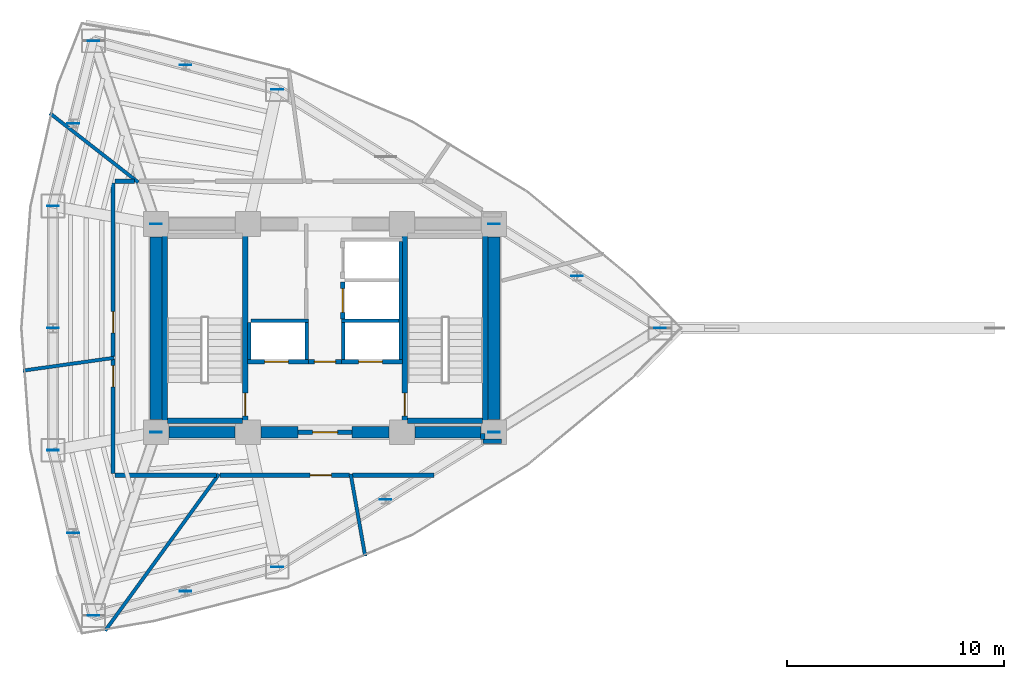
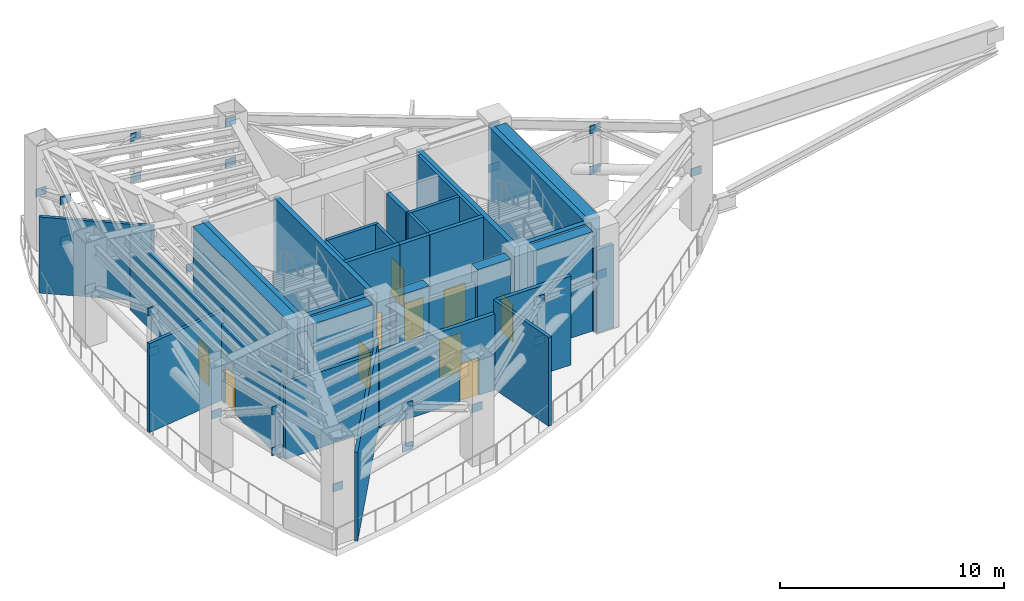
# One storey, part 5 of 8: 35 walls, 27 plates, 10 doors, 10 openings.
"""IFC4 building model written with IfcOpenShell, lengths in metres."""

from ifc_helpers import new_model, si_unit, direction, frame, frame_2d, origin, origin_2d, place, context, subcontext, project, spatial, rectangle, extrude, material, layer, layer_set, type_object, element, fill, save


model = new_model("IFC4")

# Units and contexts
model_context = context("Model", 3, precision=1e-05, world=origin(), true_north=direction((0.0, 1.0)))
body_context = subcontext(model_context, "Body", "Model", "MODEL_VIEW")
ifc_project = project(units=[si_unit("LENGTHUNIT", "METRE"), si_unit("AREAUNIT", "SQUARE_METRE"), si_unit("VOLUMEUNIT", "CUBIC_METRE"), si_unit("PLANEANGLEUNIT", "RADIAN"), si_unit("MASSUNIT", "GRAM", prefix="KILO")], contexts=[model_context])

# Site, building, storey
site_placement = place(None, origin())
site = spatial("IfcSite", under=ifc_project, at=site_placement, CompositionType="ELEMENT")
building_placement = place(site_placement, origin())
building = spatial("IfcBuilding", under=site, at=building_placement, Name="Menara Vayukalpa", CompositionType="ELEMENT")
storey_placement = place(building_placement, frame((0.0, 0.0, 148.6201171875)))
storey = spatial("IfcBuildingStorey", under=building, at=storey_placement, Name="L37", CompositionType="ELEMENT", Elevation=148.6201171875)

# Plates
ifc_material_1 = material(Name="Steel S355", Category="steel")
ifc_layer_1 = layer(ifc_material_1, 0.028076171875)
ifc_layer_set_1 = layer_set([ifc_layer_1], Name="Steel S355")
plate_type = type_object("IfcPlateType", Name="PLT-END1", PredefinedType="USERDEFINED", material=ifc_layer_set_1)
for number, where, z_axis, x_axis, name in (
    (1, (33.39990234375, 17.199951171875, 2.530029296875), (0.0, 0.0, 1.0), (1.0, 0.0, 0.0), "L37 Structural Brace End Gusset Plate 039"),
    (2, (41.05908203125, 22.0, 2.530029296875), (0.0, 0.0, 1.0), (1.0, 0.0, 0.0), "L37 Structural Brace End Gusset Plate 040"),
    (3, (17.800048828125, 26.800048828125, 2.530029296875), (0.0, 0.0, 1.0), (1.0, 0.0, 0.0), "L37 Structural Brace End Gusset Plate 041"),
    (4, (14.92041015625, 35.260498046875, 2.530029296875), (0.0, 0.0, 1.0), (1.0, 0.0, 0.0), "L37 Structural Brace End Gusset Plate 042"),
    (5, (17.800048828125, 17.199951171875, 2.530029296875), (0.0, 0.0, 1.0), (1.0, 0.0, 0.0), "L37 Structural Brace End Gusset Plate 043"),
    (6, (14.92041015625, 8.739501953125, 2.530029296875), (0.0, 0.0, 1.0), (1.0, 0.0, 0.0), "L37 Structural Brace End Gusset Plate 044"),
    (7, (33.39990234375, 26.800048828125, 2.530029296875), (0.0, 0.0, 1.0), (1.0, 0.0, 0.0), "L37 Structural Brace End Gusset Plate 045"),
    (8, (37.2294921875, 24.39990234375, 4.75), (0.0, 0.0, 1.0), (1.0, 0.0, 0.0), "L37 Structural Brace End Gusset Plate 046"),
    (9, (37.2294921875, 24.39990234375, 2.530029296875), (0.0, 0.0, 1.0), (1.0, 0.0, 0.0), "L37 Structural Brace End Gusset Plate 047"),
    (10, (23.39697265625, 33.011962890625, 2.530029296875), (0.0, 0.0, 1.0), (1.0, 0.0, 0.0), "L37 Structural Brace End Gusset Plate 048"),
    (11, (23.39697265625, 33.011962890625, 4.75), (0.0, 0.0, 1.0), (1.0, 0.0, 0.0), "L37 Structural Brace End Gusset Plate 049"),
    (12, (33.39990234375, 26.800048828125, 4.75), (0.0, 0.0, 1.0), (1.0, 0.0, 0.0), "L37 Structural Brace End Gusset Plate 050"),
    (13, (19.15869140625, 34.13623046875, 4.75), (0.0, 0.0, 1.0), (1.0, 0.0, 0.0), "L37 Structural Brace End Gusset Plate 051"),
    (14, (19.15869140625, 34.13623046875, 2.530029296875), (0.0, 0.0, 1.0), (1.0, 0.0, 0.0), "L37 Structural Brace End Gusset Plate 052"),
    (15, (13.049072265625, 27.6318359375, 2.530029296875), (0.0, 0.0, 1.0), (1.0, 0.0, 0.0), "L37 Structural Brace End Gusset Plate 053"),
    (16, (13.98486328125, 31.446044921875, 4.75), (0.0, 0.0, 1.0), (1.0, 0.0, 0.0), "L37 Structural Brace End Gusset Plate 054"),
    (17, (13.98486328125, 31.446044921875, 2.530029296875), (0.0, 0.0, 1.0), (1.0, 0.0, 0.0), "L37 Structural Brace End Gusset Plate 055"),
    (18, (13.049072265625, 16.3681640625, 2.530029296875), (0.0, 0.0, 1.0), (1.0, 0.0, 0.0), "L37 Structural Brace End Gusset Plate 056"),
    (19, (13.049072265625, 22.0, 4.75), (0.0, 0.0, 1.0), (1.0, 0.0, 0.0), "L37 Structural Brace End Gusset Plate 057"),
    (20, (13.049072265625, 22.0, 2.530029296875), (0.0, 0.0, 1.0), (1.0, 0.0, 0.0), "L37 Structural Brace End Gusset Plate 058"),
    (21, (13.98486328125, 12.553955078125, 4.75), (0.0, 0.0, 1.0), (1.0, 0.0, 0.0), "L37 Structural Brace End Gusset Plate 059"),
    (22, (13.98486328125, 12.553955078125, 2.530029296875), (0.0, 0.0, 1.0), (1.0, 0.0, 0.0), "L37 Structural Brace End Gusset Plate 060"),
    (23, (23.39697265625, 10.988037109375, 2.530029296875), (0.0, 0.0, 1.0), (1.0, 0.0, 0.0), "L37 Structural Brace End Gusset Plate 061"),
    (24, (19.15869140625, 9.86376953125, 4.75), (0.0, 0.0, 1.0), (1.0, 0.0, 0.0), "L37 Structural Brace End Gusset Plate 062"),
    (25, (19.15869140625, 9.86376953125, 2.530029296875), (0.0, 0.0, 1.0), (1.0, 0.0, 0.0), "L37 Structural Brace End Gusset Plate 063"),
    (26, (28.3984375, 14.093994140625, 4.75), (0.0, 0.0, 1.0), (1.0, 0.0, 0.0), "L37 Structural Brace End Gusset Plate 064"),
    (27, (28.3984375, 14.093994140625, 2.530029296875), (0.0, 0.0, 1.0), (1.0, 0.0, 0.0), "L37 Structural Brace End Gusset Plate 065"),
):
    element("IfcPlate", number, at=place(storey_placement, frame(where, z_axis=z_axis, x_axis=x_axis)), inside=storey, type_object=plate_type, Name=name, ObjectType="GUSSET_PLATE", PredefinedType="USERDEFINED", context=body_context, shape_type="SweptSolid", body=[
        extrude(rectangle(XDim=0.5400390625, YDim=0.028076171875, at=origin_2d()), origin(), (0.0, 0.0, 1.0), 0.43994140625),
    ])

# Walls
ifc_material_2 = material(Name="Concrete C60/75", Category="concrete")
ifc_layer_2 = layer(ifc_material_2, 0.550048828125)
ifc_layer_set_2 = layer_set([ifc_layer_2], Name="Concrete C60/75")
wall_type_1 = type_object("IfcWallType", Name="WAL-CW550", PredefinedType="SHEAR", material=ifc_layer_set_2)
wall_1_placement = place(storey_placement, frame((18.39501953125, 17.199951171875, 0.0), z_axis=(0.0, 0.0, 1.0), x_axis=(1.0, 0.0, 0.0)))
element("IfcWall", 28, at=wall_1_placement, inside=storey, type_object=wall_type_1, Name="L37 Buttressed Core Shear Wall CWS1", PredefinedType="SHEAR", context=body_context, shape_type="SweptSolid", body=[
    extrude(rectangle(XDim=3.06005859375, YDim=0.550048828125, at=frame_2d((1.530029296875, 0.0))), origin(), (0.0, 0.0, 1.0), 5.419921875),
])
wall_2_placement = place(storey_placement, frame((22.64501953125, 17.199951171875, 0.0), z_axis=(0.0, 0.0, 1.0), x_axis=(1.0, 0.0, 0.0)))
element("IfcWall", 29, at=wall_2_placement, inside=storey, type_object=wall_type_1, Name="L37 Buttressed Core Shear Wall CWS2", PredefinedType="SHEAR", context=body_context, shape_type="SweptSolid", body=[
    extrude(rectangle(XDim=1.705078125, YDim=0.550048828125, at=frame_2d((0.8525390625, 0.0))), origin(), (0.0, 0.0, 1.0), 5.419921875),
])
wall_3_placement = place(storey_placement, frame((26.85009765625, 17.199951171875, 0.0), z_axis=(0.0, 0.0, 1.0), x_axis=(1.0, 0.0, 0.0)))
element("IfcWall", 30, at=wall_3_placement, inside=storey, type_object=wall_type_1, Name="L37 Buttressed Core Shear Wall CWS3", PredefinedType="SHEAR", context=body_context, shape_type="SweptSolid", body=[
    extrude(rectangle(XDim=1.704833984375, YDim=0.550048828125, at=frame_2d((0.8525390625, 0.0))), origin(), (0.0, 0.0, 1.0), 5.419921875),
])
wall_4_placement = place(storey_placement, frame((29.7451171875, 17.199951171875, 0.0), z_axis=(0.0, 0.0, 1.0), x_axis=(1.0, 0.0, 0.0)))
element("IfcWall", 31, at=wall_4_placement, inside=storey, type_object=wall_type_1, Name="L37 Buttressed Core Shear Wall CWS4", PredefinedType="SHEAR", context=body_context, shape_type="SweptSolid", body=[
    extrude(rectangle(XDim=3.059814453125, YDim=0.550048828125, at=frame_2d((1.52978515625, 0.0))), origin(), (0.0, 0.0, 1.0), 5.419921875),
])
for number, where, z_axis, x_axis, name in (
    (32, (17.800048828125, 17.794921875, 0.0), (0.0, 0.0, 1.0), (0.0, 1.0, 0.0), "L37 Buttressed Core Shear Wall CWW1"),
    (33, (33.39990234375, 17.794921875, 0.0), (0.0, 0.0, 1.0), (0.0, 1.0, 0.0), "L37 Buttressed Core Shear Wall CWE1"),
):
    element("IfcWall", number, at=place(storey_placement, frame(where, z_axis=z_axis, x_axis=x_axis)), inside=storey, type_object=wall_type_1, Name=name, PredefinedType="SHEAR", context=body_context, shape_type="SweptSolid", body=[
        extrude(rectangle(XDim=8.41015625, YDim=0.550048828125, at=frame_2d((4.205078125, 0.0))), origin(), (0.0, 0.0, 1.0), 5.419921875),
    ])
ifc_material_3 = material(Name="Lightweight Concrete Blockwork C16/20", Category="masonry")
ifc_layer_3 = layer(ifc_material_3, 0.159912109375)
ifc_layer_set_3 = layer_set([ifc_layer_3], Name="Lightweight Concrete Blockwork C16/20")
wall_type_2 = type_object("IfcWallType", Name="WAL-FR150", PredefinedType="PARTITIONING", material=ifc_layer_set_3)
for number, where, z_axis, x_axis, name in (
    (34, (22.10498046875, 20.56005859375, 0.0), (0.0, 0.0, 1.0), (0.0, 1.0, 0.0), "L37 Interior Partition IW-L37-SHW-WW"),
    (35, (24.7548828125, 20.56005859375, 0.0), (0.0, 0.0, 1.0), (0.0, 1.0, 0.0), "L37 Interior Partition IW-L37-SHW-W1E"),
):
    element("IfcWall", number, at=place(storey_placement, frame(where, z_axis=z_axis, x_axis=x_axis)), inside=storey, type_object=wall_type_2, Name=name, PredefinedType="PARTITIONING", context=body_context, shape_type="SweptSolid", body=[
        extrude(rectangle(XDim=1.7099609375, YDim=0.159912109375, at=frame_2d((0.85498046875, 0.0))), origin(), (0.0, 0.0, 1.0), 5.419921875),
    ])
wall_5_placement = place(storey_placement, frame((22.179931640625, 22.344970703125, 0.0), z_axis=(0.0, 0.0, 1.0), x_axis=(1.0, 0.0, 0.0)))
element("IfcWall", 36, at=wall_5_placement, inside=storey, type_object=wall_type_2, Name="L37 Interior Partition IW-L37-SHM-W12", PredefinedType="PARTITIONING", context=body_context, shape_type="SweptSolid", body=[
    extrude(rectangle(XDim=2.650146484375, YDim=0.159912109375, at=frame_2d((1.3251953125, 0.0))), origin(), (0.0, 0.0, 1.0), 5.419921875),
])
wall_6_placement = place(storey_placement, frame((29.094970703125, 20.56005859375, 0.0), z_axis=(0.0, 0.0, 1.0), x_axis=(0.0, 1.0, 0.0)))
element("IfcWall", 37, at=wall_6_placement, inside=storey, type_object=wall_type_2, Name="L37 Interior Partition IW-L37-SHW-EE", PredefinedType="PARTITIONING", context=body_context, shape_type="SweptSolid", body=[
    extrude(rectangle(XDim=5.449951171875, YDim=0.159912109375, at=frame_2d((2.72509765625, 0.0))), origin(), (0.0, 0.0, 1.0), 5.419921875),
])
wall_7_placement = place(storey_placement, frame((26.445068359375, 20.56005859375, 0.0), z_axis=(0.0, 0.0, 1.0), x_axis=(0.0, 1.0, 0.0)))
element("IfcWall", 38, at=wall_7_placement, inside=storey, type_object=wall_type_2, Name="L37 Interior Partition IW-L37-SHW-E1W", PredefinedType="PARTITIONING", context=body_context, shape_type="SweptSolid", body=[
    extrude(rectangle(XDim=1.7099609375, YDim=0.159912109375, at=frame_2d((0.85498046875, 0.0))), origin(), (0.0, 0.0, 1.0), 5.419921875),
])
wall_8_placement = place(storey_placement, frame((26.3701171875, 22.344970703125, 0.0), z_axis=(0.0, 0.0, 1.0), x_axis=(1.0, 0.0, 0.0)))
element("IfcWall", 39, at=wall_8_placement, inside=storey, type_object=wall_type_2, Name="L37 Interior Partition IW-L37-SHM-E13", PredefinedType="PARTITIONING", context=body_context, shape_type="SweptSolid", body=[
    extrude(rectangle(XDim=2.64990234375, YDim=0.159912109375, at=frame_2d((1.324951171875, 0.0))), origin(), (0.0, 0.0, 1.0), 5.419921875),
])
wall_9_placement = place(storey_placement, frame((16.986083984375, 28.72998046875, 0.0), z_axis=(0.0, 0.0, 1.0), x_axis=(-0.788002940382, 0.615671475666, 0.0)))
element("IfcWall", 40, at=wall_9_placement, inside=storey, type_object=wall_type_2, Name="L37 Interior Partition IW-L37-RDIV04", PredefinedType="PARTITIONING", context=body_context, shape_type="SweptSolid", body=[
    extrude(rectangle(XDim=5.180908203125, YDim=0.159912109375, at=frame_2d((2.59033203125, 0.0))), origin(), (0.0, 0.0, 1.0), 4.14990234375),
])
wall_10_placement = place(storey_placement, frame((15.8701171875, 20.632568359375, 0.0), z_axis=(0.0, 0.0, 1.0), x_axis=(-0.990272175973, -0.139143873362, 0.0)))
element("IfcWall", 41, at=wall_10_placement, inside=storey, type_object=wall_type_2, Name="L37 Interior Partition IW-L37-RDIV05", PredefinedType="PARTITIONING", context=body_context, shape_type="SweptSolid", body=[
    extrude(rectangle(XDim=4.247802734375, YDim=0.159912109375, at=frame_2d((2.1240234375, 0.0))), origin(), (0.0, 0.0, 1.0), 4.849853515625),
])
wall_11_placement = place(storey_placement, frame((20.71044921875, 15.27001953125, 0.0), z_axis=(0.0, 0.0, 1.0), x_axis=(-0.587798062304, -0.809007687202, 0.0)))
element("IfcWall", 42, at=wall_11_placement, inside=storey, type_object=wall_type_2, Name="L37 Interior Partition IW-L37-RDIV06", PredefinedType="PARTITIONING", context=body_context, shape_type="SweptSolid", body=[
    extrude(rectangle(XDim=8.9375, YDim=0.159912109375, at=frame_2d((4.46875, 0.0))), origin(), (0.0, 0.0, 1.0), 4.849853515625),
])
wall_12_placement = place(storey_placement, frame((26.78662109375, 15.27001953125, 0.0), z_axis=(0.0, 0.0, 1.0), x_axis=(0.173672994404, -0.984803376829, 0.0)))
element("IfcWall", 43, at=wall_12_placement, inside=storey, type_object=wall_type_2, Name="L37 Interior Partition IW-L37-RDIV07", PredefinedType="PARTITIONING", context=body_context, shape_type="SweptSolid", body=[
    extrude(rectangle(XDim=3.84326171875, YDim=0.159912109375, at=frame_2d((1.921630859375, 0.0))), origin(), (0.0, 0.0, 1.0), 4.849853515625),
])

# Wall, opening, door
ifc_material_4 = material(Name="Lightweight Concrete Blockwork C16/20", Category="masonry")
ifc_layer_4 = layer(ifc_material_4, 0.199951171875)
ifc_layer_set_4 = layer_set([ifc_layer_4], Name="Lightweight Concrete Blockwork C16/20")
wall_type_3 = type_object("IfcWallType", Name="WAL-FR200", PredefinedType="PARTITIONING", material=ifc_layer_set_4)
wall_13_placement = place(storey_placement, frame((24.35009765625, 17.199951171875, 0.0), z_axis=(0.0, 0.0, 1.0), x_axis=(1.0, 0.0, 0.0)))
wall_13 = element("IfcWall", 44, at=wall_13_placement, inside=storey, type_object=wall_type_3, Name="L37 Interior Partition IW-L37-FFLS", PredefinedType="PARTITIONING", context=body_context, shape_type="SweptSolid", body=[
    extrude(rectangle(XDim=2.5, YDim=0.199951171875, at=frame_2d((1.25, 0.0))), origin(), (0.0, 0.0, 1.0), 4.5498046875),
])
opening_1_placement = place(wall_13_placement, frame((0.679931640625, 0.0, 0.0)))
opening_1 = element("IfcOpeningElement", 45, at=opening_1_placement, cuts=wall_13, Name="Opening ID2", PredefinedType="OPENING", context=body_context, shape_type="SweptSolid", body=[
    extrude(rectangle(XDim=1.14990234375, YDim=2.080078125, at=frame_2d((0.574951171875, 1.0400390625))), frame((0.0, 0.10986328125, 0.0), z_axis=(0.0, -1.0, 0.0), x_axis=(1.0, 0.0, 0.0)), (0.0, 0.0, 1.0), 0.219970703125),
])
ifc_material_5 = material(Name="Fire-Rated Powder-Coated Steel Door", Category="steel")
door_type_1 = type_object("IfcDoorType", Name="DR-FD60W", OperationType="NOTDEFINED", PredefinedType="DOOR", material=ifc_material_5)
door_1_placement = place(opening_1_placement, origin())
door_1 = element("IfcDoor", 46, at=door_1_placement, inside=storey, type_object=door_type_1, Name="L37 Interior Door DR-L37-FFLS", OperationType="SINGLE_SWING_RIGHT", OverallHeight=2.080078125, OverallWidth=1.14990234375, PredefinedType="DOOR", context=body_context, shape_type="SweptSolid", body=[
    extrude(rectangle(XDim=1.14990234375, YDim=2.080078125, at=frame_2d((0.574951171875, 1.0400390625))), frame((0.0, 0.02490234375, 0.0), z_axis=(0.0, -1.0, 0.0), x_axis=(1.0, 0.0, 0.0)), (0.0, 0.0, 1.0), 0.050048828125),
])
fill(opening_1, door_1)

wall_14_placement = place(storey_placement, frame((24.840087890625, 20.449951171875, 0.0), z_axis=(0.0, 0.0, 1.0), x_axis=(1.0, 0.0, 0.0)))
wall_14 = element("IfcWall", 47, at=wall_14_placement, inside=storey, type_object=wall_type_3, Name="L37 Interior Partition IW-L37-FFLN", PredefinedType="PARTITIONING", context=body_context, shape_type="SweptSolid", body=[
    extrude(rectangle(XDim=1.52001953125, YDim=0.199951171875, at=frame_2d((0.760009765625, 0.0))), origin(), (0.0, 0.0, 1.0), 5.419921875),
])
opening_2_placement = place(wall_14_placement, frame((0.27001953125, 0.0, 0.0)))
opening_2 = element("IfcOpeningElement", 48, at=opening_2_placement, cuts=wall_14, Name="Opening ID3", PredefinedType="OPENING", context=body_context, shape_type="SweptSolid", body=[
    extrude(rectangle(XDim=0.97998046875, YDim=2.06005859375, at=frame_2d((0.489990234375, 1.030029296875))), frame((0.0, 0.10986328125, 0.0), z_axis=(0.0, -1.0, 0.0), x_axis=(1.0, 0.0, 0.0)), (0.0, 0.0, 1.0), 0.219970703125),
])
ifc_material_6 = material(Name="Fire-Rated Powder-Coated Steel Door", Category="steel")
door_type_2 = type_object("IfcDoorType", Name="DR-FD60", OperationType="NOTDEFINED", PredefinedType="DOOR", material=ifc_material_6)
door_2_placement = place(opening_2_placement, origin())
door_2 = element("IfcDoor", 49, at=door_2_placement, inside=storey, type_object=door_type_2, Name="L37 Interior Door DR-L37-FFLN", OperationType="SINGLE_SWING_LEFT", OverallHeight=2.06005859375, OverallWidth=0.97998046875, PredefinedType="DOOR", context=body_context, shape_type="SweptSolid", body=[
    extrude(rectangle(XDim=0.97998046875, YDim=2.06005859375, at=frame_2d((0.489990234375, 1.030029296875))), frame((0.0, 0.02490234375, 0.0), z_axis=(0.0, -1.0, 0.0), x_axis=(1.0, 0.0, 0.0)), (0.0, 0.0, 1.0), 0.050048828125),
])
fill(opening_2, door_2)

wall_15_placement = place(storey_placement, frame((22.030029296875, 20.449951171875, 0.0), z_axis=(0.0, 0.0, 1.0), x_axis=(1.0, 0.0, 0.0)))
wall_15 = element("IfcWall", 50, at=wall_15_placement, inside=storey, type_object=wall_type_3, Name="L37 Interior Partition IW-L37-SH-W1", PredefinedType="PARTITIONING", context=body_context, shape_type="SweptSolid", body=[
    extrude(rectangle(XDim=2.800048828125, YDim=0.199951171875, at=frame_2d((1.39990234375, 0.0))), origin(), (0.0, 0.0, 1.0), 5.419921875),
])
opening_3_placement = place(wall_15_placement, frame((0.780029296875, 0.0, 0.0)))
opening_3 = element("IfcOpeningElement", 51, at=opening_3_placement, cuts=wall_15, Name="Opening LD1", PredefinedType="OPENING", context=body_context, shape_type="SweptSolid", body=[
    extrude(rectangle(XDim=1.10009765625, YDim=2.080078125, at=frame_2d((0.550048828125, 1.0400390625))), frame((0.0, 0.10986328125, 0.0), z_axis=(0.0, -1.0, 0.0), x_axis=(1.0, 0.0, 0.0)), (0.0, 0.0, 1.0), 0.219970703125),
])
ifc_material_7 = material(Name="Brushed Stainless Steel 316 Lift Door", Category="steel")
door_type_3 = type_object("IfcDoorType", Name="DR-LD110", OperationType="NOTDEFINED", PredefinedType="DOOR", material=ifc_material_7)
door_3_placement = place(opening_3_placement, origin())
door_3 = element("IfcDoor", 52, at=door_3_placement, inside=storey, type_object=door_type_3, Name="L37 Interior Door DR-L37-LD-W1", OperationType="DOUBLE_DOOR_SLIDING", OverallHeight=2.080078125, OverallWidth=1.10009765625, PredefinedType="DOOR", context=body_context, shape_type="SweptSolid", body=[
    extrude(rectangle(XDim=1.10009765625, YDim=2.080078125, at=frame_2d((0.550048828125, 1.0400390625))), frame((0.0, 0.02490234375, 0.0), z_axis=(0.0, -1.0, 0.0), x_axis=(1.0, 0.0, 0.0)), (0.0, 0.0, 1.0), 0.050048828125),
])
fill(opening_3, door_3)

wall_16_placement = place(storey_placement, frame((26.3701171875, 20.449951171875, 0.0), z_axis=(0.0, 0.0, 1.0), x_axis=(1.0, 0.0, 0.0)))
wall_16 = element("IfcWall", 53, at=wall_16_placement, inside=storey, type_object=wall_type_3, Name="L37 Interior Partition IW-L37-SH-E1", PredefinedType="PARTITIONING", context=body_context, shape_type="SweptSolid", body=[
    extrude(rectangle(XDim=2.7998046875, YDim=0.199951171875, at=frame_2d((1.39990234375, 0.0))), origin(), (0.0, 0.0, 1.0), 5.419921875),
])
opening_4_placement = place(wall_16_placement, frame((0.780029296875, 0.0, 0.0)))
opening_4 = element("IfcOpeningElement", 54, at=opening_4_placement, cuts=wall_16, Name="Opening LD1", PredefinedType="OPENING", context=body_context, shape_type="SweptSolid", body=[
    extrude(rectangle(XDim=1.10009765625, YDim=2.080078125, at=frame_2d((0.550048828125, 1.0400390625))), frame((0.0, 0.10986328125, 0.0), z_axis=(0.0, -1.0, 0.0), x_axis=(1.0, 0.0, 0.0)), (0.0, 0.0, 1.0), 0.219970703125),
])
door_4_placement = place(opening_4_placement, origin())
door_4 = element("IfcDoor", 55, at=door_4_placement, inside=storey, type_object=door_type_3, Name="L37 Interior Door DR-L37-LD-E1", OperationType="DOUBLE_DOOR_SLIDING", OverallHeight=2.080078125, OverallWidth=1.10009765625, PredefinedType="DOOR", context=body_context, shape_type="SweptSolid", body=[
    extrude(rectangle(XDim=1.10009765625, YDim=2.080078125, at=frame_2d((0.550048828125, 1.0400390625))), frame((0.0, 0.02490234375, 0.0), z_axis=(0.0, -1.0, 0.0), x_axis=(1.0, 0.0, 0.0)), (0.0, 0.0, 1.0), 0.050048828125),
])
fill(opening_4, door_4)

wall_17_placement = place(storey_placement, frame((26.419921875, 22.419921875, 0.0), z_axis=(0.0, 0.0, 1.0), x_axis=(0.0, 1.0, 0.0)))
wall_17 = element("IfcWall", 56, at=wall_17_placement, inside=storey, type_object=wall_type_3, Name="L37 Interior Partition IW-L37-SH-E3", PredefinedType="PARTITIONING", context=body_context, shape_type="SweptSolid", body=[
    extrude(rectangle(XDim=1.719970703125, YDim=0.199951171875, at=frame_2d((0.85986328125, 0.0))), origin(), (0.0, 0.0, 1.0), 5.419921875),
])
opening_5_placement = place(wall_17_placement, frame((0.31005859375, 0.0, 0.0)))
opening_5 = element("IfcOpeningElement", 57, at=opening_5_placement, cuts=wall_17, Name="Opening LD1", PredefinedType="OPENING", context=body_context, shape_type="SweptSolid", body=[
    extrude(rectangle(XDim=1.10009765625, YDim=2.080078125, at=frame_2d((0.550048828125, 1.0400390625))), frame((0.0, 0.10986328125, 0.0), z_axis=(0.0, -1.0, 0.0), x_axis=(1.0, 0.0, 0.0)), (0.0, 0.0, 1.0), 0.219970703125),
])
door_5_placement = place(opening_5_placement, origin())
door_5 = element("IfcDoor", 58, at=door_5_placement, inside=storey, type_object=door_type_3, Name="L37 Interior Door DR-L37-LD-E3", OperationType="DOUBLE_DOOR_SLIDING", OverallHeight=2.080078125, OverallWidth=1.10009765625, PredefinedType="DOOR", context=body_context, shape_type="SweptSolid", body=[
    extrude(rectangle(XDim=1.10009765625, YDim=2.080078125, at=frame_2d((0.550048828125, 1.0400390625))), frame((0.0, 0.02490234375, 0.0), z_axis=(0.0, -1.0, 0.0), x_axis=(1.0, 0.0, 0.0)), (0.0, 0.0, 1.0), 0.050048828125),
])
fill(opening_5, door_5)

wall_18_placement = place(storey_placement, frame((15.820068359375, 20.5546875, 0.0), z_axis=(0.0, 0.0, 1.0), x_axis=(0.0, -1.0, 0.0)))
wall_18 = element("IfcWall", 59, at=wall_18_placement, inside=storey, type_object=wall_type_3, Name="L37 Interior Partition IW-L37-CRM01-1", PredefinedType="PARTITIONING", context=body_context, shape_type="SweptSolid", body=[
    extrude(rectangle(XDim=5.254638671875, YDim=0.199951171875, at=frame_2d((2.62744140625, 0.0))), origin(), (0.0, 0.0, 1.0), 4.14990234375),
])
opening_6_placement = place(wall_18_placement, frame((0.280029296875, 0.0, 0.0)))
opening_6 = element("IfcOpeningElement", 60, at=opening_6_placement, cuts=wall_18, Name="Opening ID3", PredefinedType="OPENING", context=body_context, shape_type="SweptSolid", body=[
    extrude(rectangle(XDim=0.97998046875, YDim=2.06005859375, at=frame_2d((0.489990234375, 1.030029296875))), frame((0.0, 0.10986328125, 0.0), z_axis=(0.0, -1.0, 0.0), x_axis=(1.0, 0.0, 0.0)), (0.0, 0.0, 1.0), 0.219970703125),
])
door_6_placement = place(opening_6_placement, origin())
door_6 = element("IfcDoor", 61, at=door_6_placement, inside=storey, type_object=door_type_2, Name="L37 Interior Door DR-L37-RM01", OperationType="SINGLE_SWING_LEFT", OverallHeight=2.06005859375, OverallWidth=0.97998046875, PredefinedType="DOOR", context=body_context, shape_type="SweptSolid", body=[
    extrude(rectangle(XDim=0.97998046875, YDim=2.06005859375, at=frame_2d((0.489990234375, 1.030029296875))), frame((0.0, 0.02490234375, 0.0), z_axis=(0.0, -1.0, 0.0), x_axis=(1.0, 0.0, 0.0)), (0.0, 0.0, 1.0), 0.050048828125),
])
fill(opening_6, door_6)

# Wall
wall_19_placement = place(storey_placement, frame((15.89990234375, 15.219970703125, 0.0), z_axis=(0.0, 0.0, 1.0), x_axis=(1.0, 0.0, 0.0)))
element("IfcWall", 62, at=wall_19_placement, inside=storey, type_object=wall_type_3, Name="L37 Interior Partition IW-L37-CRM01-2", PredefinedType="PARTITIONING", context=body_context, shape_type="SweptSolid", body=[
    extrude(rectangle(XDim=4.6875, YDim=0.199951171875, at=frame_2d((2.34375, 0.0))), origin(), (0.0, 0.0, 1.0), 4.14990234375),
])

# Wall, opening, door
wall_20_placement = place(storey_placement, frame((20.760498046875, 15.219970703125, 0.0), z_axis=(0.0, 0.0, 1.0), x_axis=(1.0, 0.0, 0.0)))
wall_20 = element("IfcWall", 63, at=wall_20_placement, inside=storey, type_object=wall_type_3, Name="L37 Interior Partition IW-L37-CRM02-1", PredefinedType="PARTITIONING", context=body_context, shape_type="SweptSolid", body=[
    extrude(rectangle(XDim=5.9638671875, YDim=0.199951171875, at=frame_2d((2.98193359375, 0.0))), origin(), (0.0, 0.0, 1.0), 4.14990234375),
])
opening_7_placement = place(wall_20_placement, frame((4.15087890625, 0.0, 0.0)))
opening_7 = element("IfcOpeningElement", 64, at=opening_7_placement, cuts=wall_20, Name="Opening ID3", PredefinedType="OPENING", context=body_context, shape_type="SweptSolid", body=[
    extrude(rectangle(XDim=0.97998046875, YDim=2.06005859375, at=frame_2d((0.489990234375, 1.030029296875))), frame((0.0, 0.10986328125, 0.0), z_axis=(0.0, -1.0, 0.0), x_axis=(1.0, 0.0, 0.0)), (0.0, 0.0, 1.0), 0.219970703125),
])
door_7_placement = place(opening_7_placement, origin())
door_7 = element("IfcDoor", 65, at=door_7_placement, inside=storey, type_object=door_type_2, Name="L37 Interior Door DR-L37-RM02", OperationType="SINGLE_SWING_RIGHT", OverallHeight=2.06005859375, OverallWidth=0.97998046875, PredefinedType="DOOR", context=body_context, shape_type="SweptSolid", body=[
    extrude(rectangle(XDim=0.97998046875, YDim=2.06005859375, at=frame_2d((0.489990234375, 1.030029296875))), frame((0.0, 0.02490234375, 0.0), z_axis=(0.0, -1.0, 0.0), x_axis=(1.0, 0.0, 0.0)), (0.0, 0.0, 1.0), 0.050048828125),
])
fill(opening_7, door_7)

# Walls
wall_21_placement = place(storey_placement, frame((26.86669921875, 15.219970703125, 0.0), z_axis=(0.0, 0.0, 1.0), x_axis=(1.0, 0.0, 0.0)))
element("IfcWall", 66, at=wall_21_placement, inside=storey, type_object=wall_type_3, Name="L37 Interior Partition IW-L37-CRM03-1", PredefinedType="PARTITIONING", context=body_context, shape_type="SweptSolid", body=[
    extrude(rectangle(XDim=3.773193359375, YDim=0.199951171875, at=frame_2d((1.88671875, 0.0))), origin(), (0.0, 0.0, 1.0), 4.849853515625),
])
wall_22_placement = place(storey_placement, frame((32.8798828125, 16.780029296875, 0.0), z_axis=(0.0, 0.0, 1.0), x_axis=(1.0, 0.0, 0.0)))
element("IfcWall", 67, at=wall_22_placement, inside=storey, type_object=wall_type_3, Name="L37 Interior Partition IW-L37-CRM03-4", PredefinedType="PARTITIONING", context=body_context, shape_type="SweptSolid", body=[
    extrude(rectangle(XDim=0.860107421875, YDim=0.199951171875, at=frame_2d((0.43017578125, 0.0))), origin(), (0.0, 0.0, 1.0), 4.5498046875),
])
wall_23_placement = place(storey_placement, frame((16.808349609375, 28.780029296875, 0.0), z_axis=(0.0, 0.0, 1.0), x_axis=(-1.0, 0.0, 0.0)))
element("IfcWall", 68, at=wall_23_placement, inside=storey, type_object=wall_type_3, Name="L37 Interior Partition IW-L37-CRM07-1", PredefinedType="PARTITIONING", context=body_context, shape_type="SweptSolid", body=[
    extrude(rectangle(XDim=0.908447265625, YDim=0.199951171875, at=frame_2d((0.4541015625, 0.0))), origin(), (0.0, 0.0, 1.0), 4.14990234375),
])

# Wall, opening, door
wall_24_placement = place(storey_placement, frame((15.820068359375, 28.699951171875, 0.0), z_axis=(0.0, 0.0, 1.0), x_axis=(0.0, -1.0, 0.0)))
wall_24 = element("IfcWall", 69, at=wall_24_placement, inside=storey, type_object=wall_type_3, Name="L37 Interior Partition IW-L37-CRM07-2", PredefinedType="PARTITIONING", context=body_context, shape_type="SweptSolid", body=[
    extrude(rectangle(XDim=8.003662109375, YDim=0.199951171875, at=frame_2d((4.001953125, 0.0))), origin(), (0.0, 0.0, 1.0), 4.14990234375),
])
opening_8_placement = place(wall_24_placement, frame((5.935791015625, 0.0, 0.0)))
opening_8 = element("IfcOpeningElement", 70, at=opening_8_placement, cuts=wall_24, Name="Opening ID3", PredefinedType="OPENING", context=body_context, shape_type="SweptSolid", body=[
    extrude(rectangle(XDim=0.97998046875, YDim=2.06005859375, at=frame_2d((0.489990234375, 1.030029296875))), frame((0.0, 0.10986328125, 0.0), z_axis=(0.0, -1.0, 0.0), x_axis=(1.0, 0.0, 0.0)), (0.0, 0.0, 1.0), 0.219970703125),
])
door_8_placement = place(opening_8_placement, origin())
door_8 = element("IfcDoor", 71, at=door_8_placement, inside=storey, type_object=door_type_2, Name="L37 Interior Door DR-L37-RM07", OperationType="SINGLE_SWING_LEFT", OverallHeight=2.06005859375, OverallWidth=0.97998046875, PredefinedType="DOOR", context=body_context, shape_type="SweptSolid", body=[
    extrude(rectangle(XDim=0.97998046875, YDim=2.06005859375, at=frame_2d((0.489990234375, 1.030029296875))), frame((0.0, 0.02490234375, 0.0), z_axis=(0.0, -1.0, 0.0), x_axis=(1.0, 0.0, 0.0)), (0.0, 0.0, 1.0), 0.050048828125),
])
fill(opening_8, door_8)

# Walls
wall_25_placement = place(storey_placement, frame((32.8798828125, 16.860107421875, 0.0), z_axis=(0.0, 0.0, 1.0), x_axis=(0.0, 1.0, 0.0)))
element("IfcWall", 72, at=wall_25_placement, inside=storey, type_object=wall_type_3, Name="L37 Interior Partition IW-L37-CRM03-4-R0", PredefinedType="PARTITIONING", context=body_context, shape_type="SweptSolid", body=[
    extrude(rectangle(XDim=0.289794921875, YDim=0.199951171875, at=frame_2d((0.14501953125, 0.0))), origin(), (0.0, 0.0, 1.0), 4.5498046875),
])
ifc_material_8 = material(Name="Concrete C50/60", Category="concrete")
ifc_layer_5 = layer(ifc_material_8, 0.25)
ifc_layer_set_5 = layer_set([ifc_layer_5], Name="Concrete C50/60")
wall_type_4 = type_object("IfcWallType", Name="WAL-SW250", PredefinedType="SHEAR", material=ifc_layer_set_5)
wall_26_placement = place(storey_placement, frame((18.2041015625, 17.60009765625, 0.0), z_axis=(0.0, 0.0, 1.0), x_axis=(0.0, 1.0, 0.0)))
element("IfcWall", 73, at=wall_26_placement, inside=storey, type_object=wall_type_4, Name="L37 ST1 Structural Stair Shaft Wall W", PredefinedType="SHEAR", context=body_context, shape_type="SweptSolid", body=[
    extrude(rectangle(XDim=8.7998046875, YDim=0.25, at=frame_2d((4.39990234375, 0.0))), origin(), (0.0, 0.0, 1.0), 5.419921875),
])

# Wall, opening, door
wall_27_placement = place(storey_placement, frame((21.925048828125, 17.60009765625, 0.0), z_axis=(0.0, 0.0, 1.0), x_axis=(0.0, 1.0, 0.0)))
wall_27 = element("IfcWall", 74, at=wall_27_placement, inside=storey, type_object=wall_type_4, Name="L37 ST1 Structural Stair Shaft Wall E", PredefinedType="SHEAR", context=body_context, shape_type="SweptSolid", body=[
    extrude(rectangle(XDim=8.7998046875, YDim=0.25, at=frame_2d((4.39990234375, 0.0))), origin(), (0.0, 0.0, 1.0), 5.419921875),
])
opening_9_placement = place(wall_27_placement, frame((0.35009765625, 0.0, 0.0)))
opening_9 = element("IfcOpeningElement", 75, at=opening_9_placement, cuts=wall_27, Name="Opening ID1", PredefinedType="OPENING", context=body_context, shape_type="SweptSolid", body=[
    extrude(rectangle(XDim=1.050048828125, YDim=2.080078125, at=frame_2d((0.52490234375, 1.0400390625))), frame((0.0, 0.135009765625, 0.0), z_axis=(0.0, -1.0, 0.0), x_axis=(1.0, 0.0, 0.0)), (0.0, 0.0, 1.0), 0.27001953125),
])
ifc_material_9 = material(Name="Fire-Rated Powder-Coated Steel Door", Category="steel")
door_type_4 = type_object("IfcDoorType", Name="DR-FD120", OperationType="NOTDEFINED", PredefinedType="DOOR", material=ifc_material_9)
door_9_placement = place(opening_9_placement, origin())
door_9 = element("IfcDoor", 76, at=door_9_placement, inside=storey, type_object=door_type_4, Name="L37 Stair Exit Door DR-L37-ST1", OperationType="SINGLE_SWING_LEFT", OverallHeight=2.080078125, OverallWidth=1.050048828125, PredefinedType="DOOR", context=body_context, shape_type="SweptSolid", body=[
    extrude(rectangle(XDim=1.050048828125, YDim=2.080078125, at=frame_2d((0.52490234375, 1.0400390625))), frame((0.0, 0.02490234375, 0.0), z_axis=(0.0, -1.0, 0.0), x_axis=(1.0, 0.0, 0.0)), (0.0, 0.0, 1.0), 0.050048828125),
])
fill(opening_9, door_9)

# Wall
wall_28_placement = place(storey_placement, frame((18.3291015625, 17.72509765625, 0.0), z_axis=(0.0, 0.0, 1.0), x_axis=(1.0, 0.0, 0.0)))
element("IfcWall", 77, at=wall_28_placement, inside=storey, type_object=wall_type_4, Name="L37 ST1 Structural Stair Shaft Wall S", PredefinedType="SHEAR", context=body_context, shape_type="SweptSolid", body=[
    extrude(rectangle(XDim=3.470947265625, YDim=0.25, at=frame_2d((1.7353515625, 0.0))), origin(), (0.0, 0.0, 1.0), 5.419921875),
])

# Wall, opening, door
wall_29_placement = place(storey_placement, frame((29.27490234375, 17.60009765625, 0.0), z_axis=(0.0, 0.0, 1.0), x_axis=(0.0, 1.0, 0.0)))
wall_29 = element("IfcWall", 78, at=wall_29_placement, inside=storey, type_object=wall_type_4, Name="L37 ST2 Structural Stair Shaft Wall W", PredefinedType="SHEAR", context=body_context, shape_type="SweptSolid", body=[
    extrude(rectangle(XDim=8.7998046875, YDim=0.25, at=frame_2d((4.39990234375, 0.0))), origin(), (0.0, 0.0, 1.0), 5.419921875),
])
opening_10_placement = place(wall_29_placement, frame((0.35009765625, 0.0, 0.0)))
opening_10 = element("IfcOpeningElement", 79, at=opening_10_placement, cuts=wall_29, Name="Opening ID1", PredefinedType="OPENING", context=body_context, shape_type="SweptSolid", body=[
    extrude(rectangle(XDim=1.050048828125, YDim=2.080078125, at=frame_2d((0.52490234375, 1.0400390625))), frame((0.0, 0.135009765625, 0.0), z_axis=(0.0, -1.0, 0.0), x_axis=(1.0, 0.0, 0.0)), (0.0, 0.0, 1.0), 0.27001953125),
])
door_10_placement = place(opening_10_placement, origin())
door_10 = element("IfcDoor", 80, at=door_10_placement, inside=storey, type_object=door_type_4, Name="L37 Stair Exit Door DR-L37-ST2", OperationType="SINGLE_SWING_RIGHT", OverallHeight=2.080078125, OverallWidth=1.050048828125, PredefinedType="DOOR", context=body_context, shape_type="SweptSolid", body=[
    extrude(rectangle(XDim=1.050048828125, YDim=2.080078125, at=frame_2d((0.52490234375, 1.0400390625))), frame((0.0, 0.02490234375, 0.0), z_axis=(0.0, -1.0, 0.0), x_axis=(1.0, 0.0, 0.0)), (0.0, 0.0, 1.0), 0.050048828125),
])
fill(opening_10, door_10)

# Walls
wall_30_placement = place(storey_placement, frame((32.99609375, 17.60009765625, 0.0), z_axis=(0.0, 0.0, 1.0), x_axis=(0.0, 1.0, 0.0)))
element("IfcWall", 81, at=wall_30_placement, inside=storey, type_object=wall_type_4, Name="L37 ST2 Structural Stair Shaft Wall E", PredefinedType="SHEAR", context=body_context, shape_type="SweptSolid", body=[
    extrude(rectangle(XDim=8.7998046875, YDim=0.25, at=frame_2d((4.39990234375, 0.0))), origin(), (0.0, 0.0, 1.0), 5.419921875),
])
wall_31_placement = place(storey_placement, frame((29.39990234375, 17.72509765625, 0.0), z_axis=(0.0, 0.0, 1.0), x_axis=(1.0, 0.0, 0.0)))
element("IfcWall", 82, at=wall_31_placement, inside=storey, type_object=wall_type_4, Name="L37 ST2 Structural Stair Shaft Wall S", PredefinedType="SHEAR", context=body_context, shape_type="SweptSolid", body=[
    extrude(rectangle(XDim=3.47119140625, YDim=0.25, at=frame_2d((1.735595703125, 0.0))), origin(), (0.0, 0.0, 1.0), 5.419921875),
])

save(model, "model.ifc")
